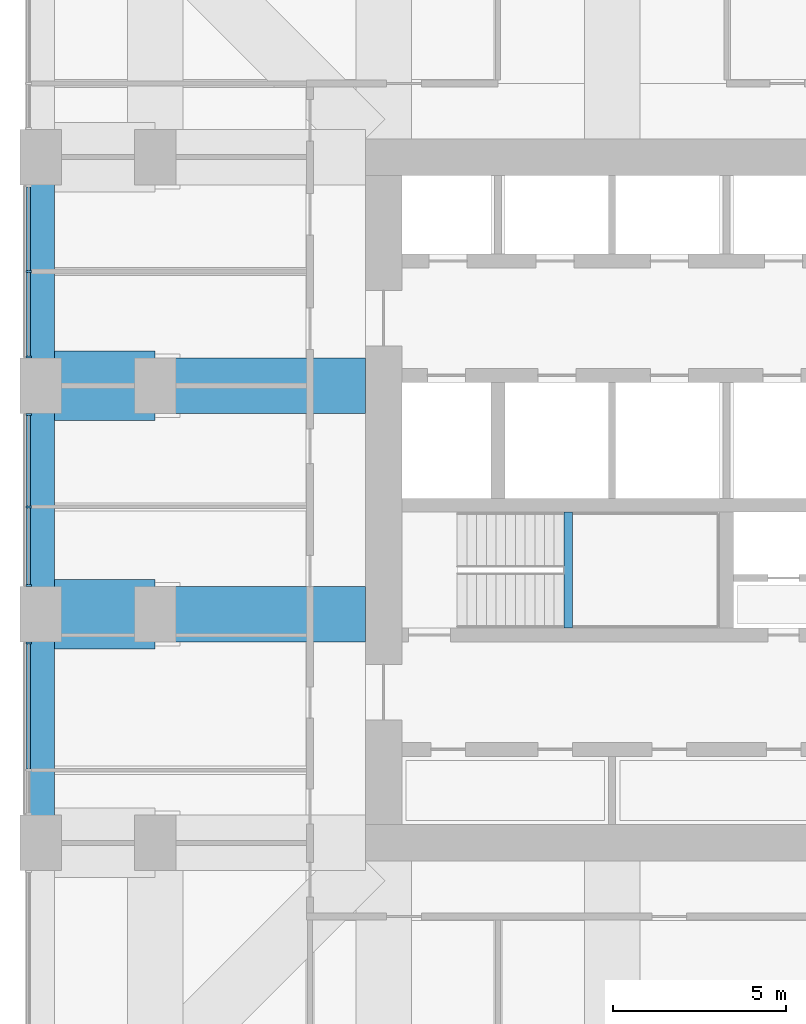
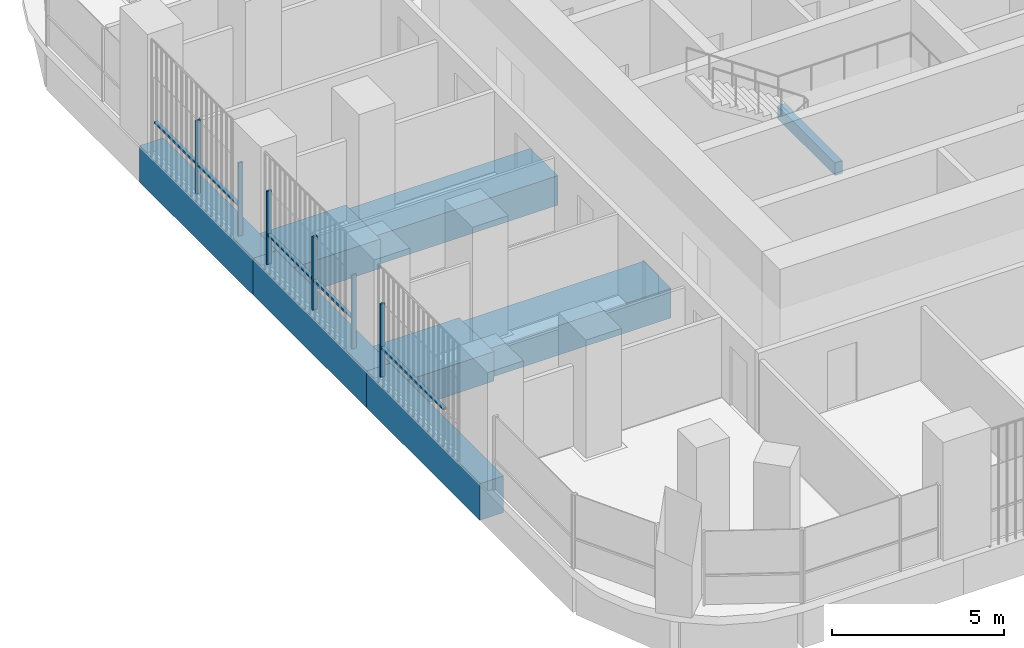
# One storey, part 4 of 20: 11 members, 8 beams, 3 elements without a shape of their own.
"""IFC4 building model written with IfcOpenShell, lengths in metres."""

from ifc_helpers import new_model, si_unit, direction, frame, origin, origin_2d, place, context, subcontext, project, spatial, rectangle, extrude, material, material_profile, profile_set, type_object, element, aggregate, save


model = new_model("IFC4")

# Units and contexts
model_context = context("Model", 3, precision=1e-05, world=origin(), true_north=direction((0.0, 1.0)))
body_context = subcontext(model_context, "Body", "Model", "MODEL_VIEW")
ifc_project = project(units=[si_unit("LENGTHUNIT", "METRE"), si_unit("AREAUNIT", "SQUARE_METRE"), si_unit("VOLUMEUNIT", "CUBIC_METRE"), si_unit("PLANEANGLEUNIT", "RADIAN"), si_unit("MASSUNIT", "GRAM", prefix="KILO")], contexts=[model_context])

# Site, building, storey
site_placement = place(None, origin())
site = spatial("IfcSite", under=ifc_project, at=site_placement, CompositionType="ELEMENT")
building_placement = place(site_placement, origin())
building = spatial("IfcBuilding", under=site, at=building_placement, Name="Cobogo Forest Laboratory Tower", CompositionType="ELEMENT")
storey_placement = place(building_placement, frame((0.0, 0.0, 214.5)))
storey = spatial("IfcBuildingStorey", under=building, at=storey_placement, Name="L49", CompositionType="ELEMENT", Elevation=214.5)

# Beams
ifc_material_1 = material(Name="Concrete HA-50 (C50/60)", Category="concrete")
ifc_material_profile_1 = material_profile(ifc_material_1, rectangle(XDim=2.0, YDim=1.050048828125, at=origin_2d()), Name="RC 2000x1050")
ifc_profile_set_1 = profile_set([ifc_material_profile_1], Name="Concrete HA-50 (C50/60)")
beam_type_1 = type_object("IfcBeamType", Name="End-bay wide beam 2000x1050", PredefinedType="BEAM", material=ifc_profile_set_1)
for number, where, z_axis, x_axis, name in (
    (1, (3.300048828125, 19.800048828125, -0.824951171875), (1.0, 0.0, 0.0), (0.0, 1.0, 0.0), "RB7 R-D-W-X L49"),
    (2, (3.300048828125, 26.39990234375, -0.824951171875), (1.0, 0.0, 0.0), (0.0, 1.0, 0.0), "RB7 R-E-W-X L49"),
):
    element("IfcBeam", number, at=place(storey_placement, frame(where, z_axis=z_axis, x_axis=x_axis)), inside=storey, type_object=beam_type_1, Name=name, PredefinedType="BEAM", context=body_context, shape_type="SweptSolid", body=[
        extrude(rectangle(XDim=2.0, YDim=1.050048828125, at=origin_2d()), origin(), (0.0, 0.0, 1.0), 3.300048828125),
    ])
ifc_material_2 = material(Name="Concrete HA-40 (C40/50)", Category="concrete")
ifc_material_profile_2 = material_profile(ifc_material_2, rectangle(XDim=0.25, YDim=0.449951171875, at=origin_2d()), Name="RC 250x450")
ifc_profile_set_2 = profile_set([ifc_material_profile_2], Name="Concrete HA-40 (C40/50)")
beam_type_2 = type_object("IfcBeamType", Name="LB1 landing beam 250x450", PredefinedType="BEAM", material=ifc_profile_set_2)
beam_1_placement = place(storey_placement, frame((18.530029296875, 19.39990234375, 1.675048828125), z_axis=(0.0, 1.0, 0.0), x_axis=(-1.0, 0.0, 0.0)))
element("IfcBeam", 3, at=beam_1_placement, inside=storey, type_object=beam_type_2, Name="Landing beam ST1 L49", PredefinedType="BEAM", context=body_context, shape_type="SweptSolid", body=[
    extrude(rectangle(XDim=0.25, YDim=0.449951171875, at=origin_2d()), origin(), (0.0, 0.0, 1.0), 3.35009765625),
])
ifc_material_profile_3 = material_profile(ifc_material_1, rectangle(XDim=1.60009765625, YDim=1.050048828125, at=origin_2d()), Name="RC 1600x1050")
ifc_profile_set_3 = profile_set([ifc_material_profile_3], Name="Concrete HA-50 (C50/60)")
beam_type_3 = type_object("IfcBeamType", Name="Laboratory floor wide beam 1600x1050", PredefinedType="BEAM", material=ifc_profile_set_3)
for number, where, z_axis, x_axis, name in (
    (4, (12.675048828125, 19.800048828125, -0.824951171875), (-1.0, 0.0, 0.0), (0.0, -1.0, 0.0), "RB8 R-D-W L49"),
    (5, (12.675048828125, 26.39990234375, -0.824951171875), (-1.0, 0.0, 0.0), (0.0, -1.0, 0.0), "RB8 R-E-W L49"),
):
    element("IfcBeam", number, at=place(storey_placement, frame(where, z_axis=z_axis, x_axis=x_axis)), inside=storey, type_object=beam_type_3, Name=name, PredefinedType="BEAM", context=body_context, shape_type="SweptSolid", body=[
        extrude(rectangle(XDim=1.60009765625, YDim=1.050048828125, at=origin_2d()), origin(), (0.0, 0.0, 1.0), 6.074951171875),
    ])

# Curtain wall, members
ifc_material_3 = material(Name="Aluminium curtain wall", Category="aluminium")
curtain_wall_type = type_object("IfcCurtainWallType", Name="CW-2 unitised curtain wall, solar control glazing, laboratory floors zones C and D", PredefinedType="USERDEFINED", material=ifc_material_3)
curtain_wall_1_placement = place(storey_placement, origin())
curtain_wall_1 = element("IfcCurtainWall", 6, at=curtain_wall_1_placement, inside=storey, type_object=curtain_wall_type, Name="Curtain wall 25 L49", ObjectType="UNITISED CURTAIN WALL", PredefinedType="USERDEFINED")
ifc_material_4 = material(Name="Aluminium mullion", Category="aluminium")
ifc_material_profile_4 = material_profile(ifc_material_4, rectangle(XDim=0.06005859375, YDim=0.159912109375, at=origin_2d()), Name="AL 60x160")
ifc_profile_set_4 = profile_set([ifc_material_profile_4], Name="Aluminium mullion")
member_type_1 = type_object("IfcMemberType", Name="MU-1 aluminium mullion 60x160", PredefinedType="MULLION", material=ifc_profile_set_4)
member_1_placement = place(storey_placement, frame((2.949951171875, 29.699951171875, 0.0), z_axis=(0.0, 0.0, 1.0), x_axis=(0.0, -1.0, 0.0)))
member_1 = element("IfcMember", 7, at=member_1_placement, type_object=member_type_1, Name="CW-2 mullion 2", PredefinedType="MULLION", context=body_context, shape_type="SweptSolid", body=[
    extrude(rectangle(XDim=0.06005859375, YDim=0.159912109375, at=origin_2d()), origin(), (0.0, 0.0, 1.0), 2.60009765625),
])
member_2_placement = place(storey_placement, frame((2.949951171875, 27.22998046875, 0.0), z_axis=(0.0, 0.0, 1.0), x_axis=(0.0, -1.0, 0.0)))
member_2 = element("IfcMember", 8, at=member_2_placement, type_object=member_type_1, Name="CW-2 mullion 3", PredefinedType="MULLION", context=body_context, shape_type="SweptSolid", body=[
    extrude(rectangle(XDim=0.06005859375, YDim=0.159912109375, at=origin_2d()), origin(), (0.0, 0.0, 1.0), 2.60009765625),
])

curtain_wall_2_placement = place(storey_placement, origin())
curtain_wall_2 = element("IfcCurtainWall", 9, at=curtain_wall_2_placement, inside=storey, type_object=curtain_wall_type, Name="Curtain wall 26 L49", ObjectType="UNITISED CURTAIN WALL", PredefinedType="USERDEFINED")
member_3_placement = place(storey_placement, frame((2.949951171875, 25.570068359375, 0.0), z_axis=(0.0, 0.0, 1.0), x_axis=(0.0, -1.0, 0.0)))
member_3 = element("IfcMember", 10, at=member_3_placement, type_object=member_type_1, Name="CW-2 mullion 1", PredefinedType="MULLION", context=body_context, shape_type="SweptSolid", body=[
    extrude(rectangle(XDim=0.06005859375, YDim=0.159912109375, at=origin_2d()), origin(), (0.0, 0.0, 1.0), 2.60009765625),
])
member_4_placement = place(storey_placement, frame((2.949951171875, 22.89990234375, 0.0), z_axis=(0.0, 0.0, 1.0), x_axis=(0.0, -1.0, 0.0)))
member_4 = element("IfcMember", 11, at=member_4_placement, type_object=member_type_1, Name="CW-2 mullion 2", PredefinedType="MULLION", context=body_context, shape_type="SweptSolid", body=[
    extrude(rectangle(XDim=0.06005859375, YDim=0.159912109375, at=origin_2d()), origin(), (0.0, 0.0, 1.0), 2.60009765625),
])
member_5_placement = place(storey_placement, frame((2.949951171875, 20.6298828125, 0.0), z_axis=(0.0, 0.0, 1.0), x_axis=(0.0, -1.0, 0.0)))
member_5 = element("IfcMember", 12, at=member_5_placement, type_object=member_type_1, Name="CW-2 mullion 3", PredefinedType="MULLION", context=body_context, shape_type="SweptSolid", body=[
    extrude(rectangle(XDim=0.06005859375, YDim=0.159912109375, at=origin_2d()), origin(), (0.0, 0.0, 1.0), 2.60009765625),
])

# Curtain wall, member
curtain_wall_3_placement = place(storey_placement, origin())
curtain_wall_3 = element("IfcCurtainWall", 13, at=curtain_wall_3_placement, inside=storey, type_object=curtain_wall_type, Name="Curtain wall 27 L49", ObjectType="UNITISED CURTAIN WALL", PredefinedType="USERDEFINED")
member_6_placement = place(storey_placement, frame((2.949951171875, 18.969970703125, 0.0), z_axis=(0.0, 0.0, 1.0), x_axis=(0.0, -1.0, 0.0)))
member_6 = element("IfcMember", 14, at=member_6_placement, type_object=member_type_1, Name="CW-2 mullion 1", PredefinedType="MULLION", context=body_context, shape_type="SweptSolid", body=[
    extrude(rectangle(XDim=0.06005859375, YDim=0.159912109375, at=origin_2d()), origin(), (0.0, 0.0, 1.0), 2.60009765625),
])

# Beams
ifc_material_profile_5 = material_profile(ifc_material_2, rectangle(XDim=0.800048828125, YDim=1.300048828125, at=origin_2d()), Name="RC 800x1300")
ifc_profile_set_5 = profile_set([ifc_material_profile_5], Name="Concrete HA-40 (C40/50)")
beam_type_4 = type_object("IfcBeamType", Name="Perimeter edge beam 800x1300", PredefinedType="BEAM", material=ifc_profile_set_5)
beam_2_placement = place(storey_placement, frame((3.300048828125, 13.199951171875, -0.949951171875), z_axis=(0.0, 1.0, 0.0), x_axis=(-1.0, 0.0, 0.0)))
element("IfcBeam", 15, at=beam_2_placement, inside=storey, type_object=beam_type_4, Name="EB2 E-W1 L49", PredefinedType="BEAM", context=body_context, shape_type="SweptSolid", body=[
    extrude(rectangle(XDim=0.800048828125, YDim=1.300048828125, at=origin_2d()), origin(), (0.0, 0.0, 1.0), 6.60009765625),
])
beam_3_placement = place(storey_placement, frame((3.300048828125, 19.800048828125, -0.949951171875), z_axis=(0.0, 1.0, 0.0), x_axis=(-1.0, 0.0, 0.0)))
element("IfcBeam", 16, at=beam_3_placement, inside=storey, type_object=beam_type_4, Name="EB2 E-W2 L49", PredefinedType="BEAM", context=body_context, shape_type="SweptSolid", body=[
    extrude(rectangle(XDim=0.800048828125, YDim=1.300048828125, at=origin_2d()), origin(), (0.0, 0.0, 1.0), 6.599853515625),
])
beam_4_placement = place(storey_placement, frame((3.300048828125, 26.39990234375, -0.949951171875), z_axis=(0.0, 1.0, 0.0), x_axis=(-1.0, 0.0, 0.0)))
element("IfcBeam", 17, at=beam_4_placement, inside=storey, type_object=beam_type_4, Name="EB2 E-W3 L49", PredefinedType="BEAM", context=body_context, shape_type="SweptSolid", body=[
    extrude(rectangle(XDim=0.800048828125, YDim=1.300048828125, at=origin_2d()), origin(), (0.0, 0.0, 1.0), 6.60009765625),
])

# Member
ifc_material_5 = material(Name="Aluminium transom", Category="aluminium")
ifc_material_profile_6 = material_profile(ifc_material_5, rectangle(XDim=0.1201171875, YDim=0.06005859375, at=origin_2d()), Name="AL 60x120")
ifc_profile_set_6 = profile_set([ifc_material_profile_6], Name="Aluminium transom")
member_type_2 = type_object("IfcMemberType", Name="TR-1 aluminium transom 60x120", PredefinedType="USERDEFINED", material=ifc_profile_set_6)
member_7_placement = place(storey_placement, frame((2.949951171875, 32.139892578125, 1.050048828125), z_axis=(0.0, -1.0, 0.0), x_axis=(1.0, 0.0, 0.0)))
member_7 = element("IfcMember", 18, at=member_7_placement, type_object=member_type_2, Name="CW-2 transom 1.1", ObjectType="TRANSOM", PredefinedType="USERDEFINED", context=body_context, shape_type="SweptSolid", body=[
    extrude(rectangle(XDim=0.1201171875, YDim=0.06005859375, at=origin_2d()), origin(), (0.0, 0.0, 1.0), 2.409912109375),
])

member_8_placement = place(storey_placement, frame((2.949951171875, 29.669921875, 1.050048828125), z_axis=(0.0, -1.0, 0.0), x_axis=(1.0, 0.0, 0.0)))
member_8 = element("IfcMember", 19, at=member_8_placement, type_object=member_type_2, Name="CW-2 transom 2.1", ObjectType="TRANSOM", PredefinedType="USERDEFINED", context=body_context, shape_type="SweptSolid", body=[
    extrude(rectangle(XDim=0.1201171875, YDim=0.06005859375, at=origin_2d()), origin(), (0.0, 0.0, 1.0), 2.409912109375),
])

aggregate(curtain_wall_1, [member_1, member_2, member_7, member_8])

member_9_placement = place(storey_placement, frame((2.949951171875, 25.5400390625, 1.050048828125), z_axis=(0.0, -1.0, 0.0), x_axis=(1.0, 0.0, 0.0)))
member_9 = element("IfcMember", 20, at=member_9_placement, type_object=member_type_2, Name="CW-2 transom 1.1", ObjectType="TRANSOM", PredefinedType="USERDEFINED", context=body_context, shape_type="SweptSolid", body=[
    extrude(rectangle(XDim=0.1201171875, YDim=0.06005859375, at=origin_2d()), origin(), (0.0, 0.0, 1.0), 2.610107421875),
])

member_10_placement = place(storey_placement, frame((2.949951171875, 22.8701171875, 1.050048828125), z_axis=(0.0, -1.0, 0.0), x_axis=(1.0, 0.0, 0.0)))
member_10 = element("IfcMember", 21, at=member_10_placement, type_object=member_type_2, Name="CW-2 transom 2.1", ObjectType="TRANSOM", PredefinedType="USERDEFINED", context=body_context, shape_type="SweptSolid", body=[
    extrude(rectangle(XDim=0.1201171875, YDim=0.06005859375, at=origin_2d()), origin(), (0.0, 0.0, 1.0), 2.210205078125),
])

aggregate(curtain_wall_2, [member_3, member_4, member_5, member_9, member_10])

member_11_placement = place(storey_placement, frame((2.949951171875, 18.93994140625, 1.050048828125), z_axis=(0.0, -1.0, 0.0), x_axis=(1.0, 0.0, 0.0)))
member_11 = element("IfcMember", 22, at=member_11_placement, type_object=member_type_2, Name="CW-2 transom 1.1", ObjectType="TRANSOM", PredefinedType="USERDEFINED", context=body_context, shape_type="SweptSolid", body=[
    extrude(rectangle(XDim=0.1201171875, YDim=0.06005859375, at=origin_2d()), origin(), (0.0, 0.0, 1.0), 3.60986328125),
])

aggregate(curtain_wall_3, [member_6, member_11])

save(model, "model.ifc")
